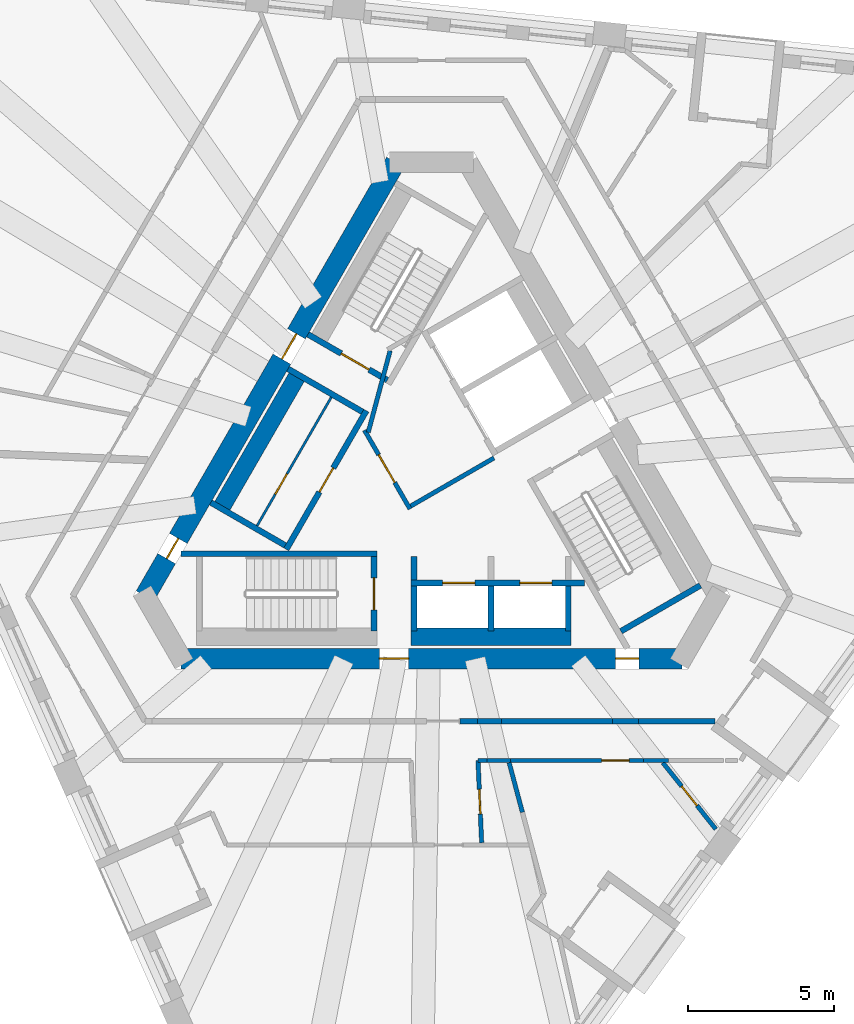
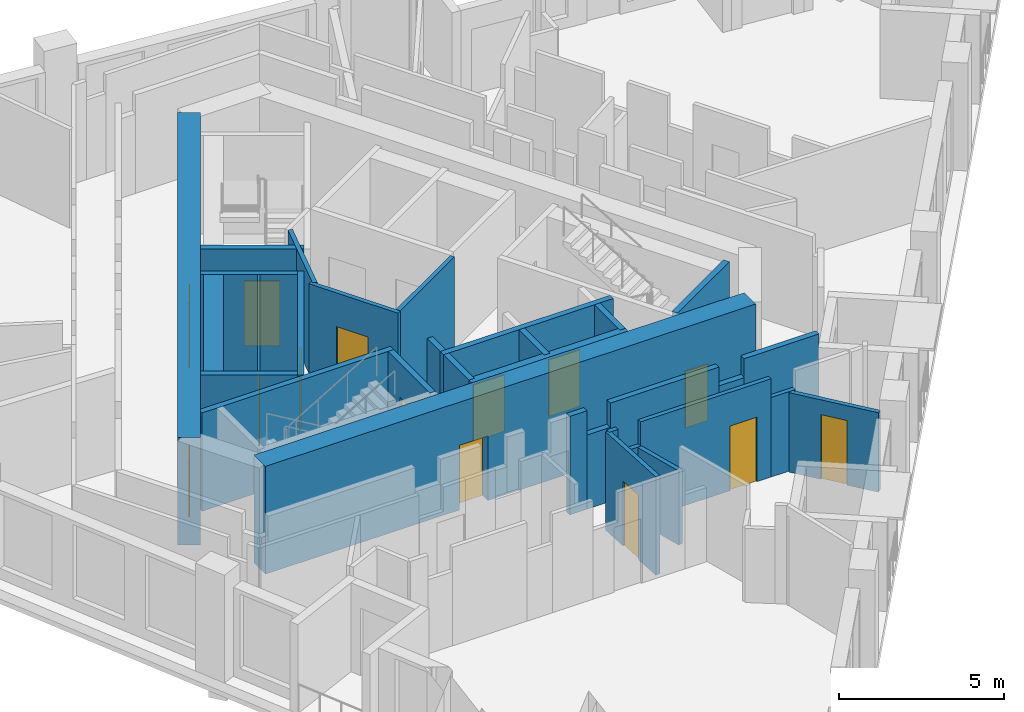
# One storey, part 4 of 11: 32 walls, 14 doors, 14 openings.
"""IFC4 building model written with IfcOpenShell, lengths in metres."""

import ifcopenshell
import ifcopenshell.guid

model = None  # the IFC model being written
_history = None  # IfcOwnerHistory: only IFC2X3 demands one
_inside = {}  # id of a spatial element -> (the spatial element, [elements in it])
_under = {}  # id of a project, library or spatial element -> (it, [spatial elements below it])
_declared = {}  # id of a project -> (the project, [libraries it declares])
_typed = {}  # id of a type object -> (the type object, [elements of that type])
_made_of = {}  # id of a material, layer set ... -> (it, [elements and type objects made of it])


def new_model(schema):
    """Start an empty IFC model of exactly this schema.

    Asked for "IFC4X3", IfcOpenShell would pick the latest addendum, in which some entities
    have other attributes; the version numbers below select the first issue.
    IFC2X3 requires an IfcOwnerHistory on every rooted entity: one is made here for all.
    """
    global model, _history
    if schema == "IFC4X3":
        model = ifcopenshell.file(schema_version=(4, 3, 0, 0))
    else:
        model = ifcopenshell.file(schema=schema)
    _inside.clear()
    _under.clear()
    _declared.clear()
    _typed.clear()
    _made_of.clear()
    _history = None
    if model.schema == "IFC2X3":
        org = make("IfcOrganization", Name="unknown")
        user = make(
            "IfcPersonAndOrganization",
            ThePerson=make("IfcPerson", FamilyName="unknown"),
            TheOrganization=org,
        )
        app = make(
            "IfcApplication",
            ApplicationDeveloper=org,
            Version="unknown",
            ApplicationFullName="unknown",
            ApplicationIdentifier="unknown",
        )
        _history = make(
            "IfcOwnerHistory",
            OwningUser=user,
            OwningApplication=app,
            ChangeAction="ADDED",
            CreationDate=0,
        )
    return model


def make(cls, **values):
    """One entity of the class cls with the attributes given. An attribute that is None is left unset."""
    return model.create_entity(
        cls, **{name: value for name, value in values.items() if value is not None}
    )


def rooted(cls, **values):
    """An entity with a GlobalId (a new one), such as an element, a storey or a relation."""
    return make(cls, GlobalId=ifcopenshell.guid.new(), OwnerHistory=_history, **values)


def si_unit(unit_type, name, prefix=None):
    """IfcSIUnit, for example si_unit("LENGTHUNIT", "METRE", prefix="MILLI")."""
    return make("IfcSIUnit", UnitType=unit_type, Prefix=prefix, Name=name)


def assignment(units):
    """IfcUnitAssignment: the units of a project."""
    return None if units is None else make("IfcUnitAssignment", Units=units)


def point(xyz):
    """IfcCartesianPoint."""
    return None if xyz is None else make("IfcCartesianPoint", Coordinates=xyz)


def direction(xyz):
    """IfcDirection."""
    return None if xyz is None else make("IfcDirection", DirectionRatios=xyz)


def frame(location, z_axis=None, x_axis=None):
    """IfcAxis2Placement3D, a coordinate frame: its origin and axes. An axis left out is left unset."""
    return make(
        "IfcAxis2Placement3D",
        Location=point(location),
        Axis=direction(z_axis),
        RefDirection=direction(x_axis),
    )


def frame_2d(location, x_axis=None):
    """IfcAxis2Placement2D, a coordinate frame in the plane: its origin and x axis."""
    return make(
        "IfcAxis2Placement2D", Location=point(location), RefDirection=direction(x_axis)
    )


def origin():
    """The frame at (0, 0, 0) with its axes left unset."""
    return frame((0.0, 0.0, 0.0))


def place(relative_to, where):
    """IfcLocalPlacement: puts the frame where relative to a parent placement (None: the world)."""
    return make(
        "IfcLocalPlacement", PlacementRelTo=relative_to, RelativePlacement=where
    )


def context(
    kind, dimensions, precision=None, world=None, true_north=None, identifier=None
):
    """IfcGeometricRepresentationContext, for example the 3D "Model" context."""
    return make(
        "IfcGeometricRepresentationContext",
        ContextIdentifier=identifier,
        ContextType=kind,
        CoordinateSpaceDimension=dimensions,
        Precision=precision,
        WorldCoordinateSystem=world,
        TrueNorth=true_north,
    )


def subcontext(parent, identifier, kind, view, scale=None):
    """IfcGeometricRepresentationSubContext, for example "Body" below "Model"."""
    return make(
        "IfcGeometricRepresentationSubContext",
        ContextIdentifier=identifier,
        ContextType=kind,
        ParentContext=parent,
        TargetScale=scale,
        TargetView=view,
    )


def project(units=None, contexts=None):
    """IfcProject with its units and contexts."""
    return rooted(
        "IfcProject",
        Name="project",
        RepresentationContexts=contexts,
        UnitsInContext=assignment(units),
    )


def spatial(cls, under=None, at=None, **own):
    """A site, building, storey or space (cls), placed at a placement, below another one or the project."""
    s = rooted(cls, ObjectPlacement=at, **own)
    if under is not None:
        _under.setdefault(under.id(), (under, []))[1].append(s)
    return s


def profile(cls, at=None, kind="AREA", **sizes):
    """A parametric profile (cls). Its sizes go by their IFC names, for example OverallWidth=200.0."""
    return make(cls, ProfileType=kind, Position=at, **sizes)


def rectangle(**sizes):
    """IfcRectangleProfileDef."""
    return profile("IfcRectangleProfileDef", **sizes)


def extrude(swept, where, along, depth):
    """IfcExtrudedAreaSolid: the profile swept, set in the frame where, extruded along a direction by depth."""
    return make(
        "IfcExtrudedAreaSolid",
        SweptArea=swept,
        Position=where,
        ExtrudedDirection=direction(along),
        Depth=depth,
    )


def shape(context_of_items, identifier, shape_type, items):
    """IfcShapeRepresentation: the items that make up one representation, for example the "Body"."""
    return make(
        "IfcShapeRepresentation",
        ContextOfItems=context_of_items,
        RepresentationIdentifier=identifier,
        RepresentationType=shape_type,
        Items=items,
    )


def material(Name=None, Category=None):
    """IfcMaterial."""
    return make("IfcMaterial", Name=Name, Category=Category)


def layer(
    of_material, thickness, ventilated=None, Name=None, Category=None, Priority=None
):
    """IfcMaterialLayer: one layer of a wall or slab, of a material (None: an air gap)."""
    return make(
        "IfcMaterialLayer",
        Material=of_material,
        LayerThickness=thickness,
        IsVentilated=ventilated,
        Name=Name,
        Category=Category,
        Priority=Priority,
    )


def layer_set(layers, Name=None):
    """IfcMaterialLayerSet."""
    return make("IfcMaterialLayerSet", MaterialLayers=layers, LayerSetName=Name)


def made_of(thing, what):
    """Note that an element or type object is made of a material, layer set ...; save() writes the relation."""
    if what is not None:
        _made_of.setdefault(what.id(), (what, []))[1].append(thing)
    return thing


def type_object(cls, material=None, **own):
    """A type object (cls), such as IfcWallType, which elements share."""
    return made_of(rooted(cls, **own), material)


def element(
    cls,
    number,
    at=None,
    inside=None,
    cuts=None,
    type_object=None,
    material=None,
    context=None,
    identifier="Body",
    shape_type=None,
    held_by="IfcProductDefinitionShape",
    body=None,
    shapes=None,
    **own,
):
    """One element of the class cls, such as IfcWall. Its Tag is "e" and its number.

    at: its placement. inside: the storey or other place that contains it. cuts: it is an
    opening in that element (IfcRelVoidsElement). A single representation is given by context,
    identifier, shape_type and body (its items); several are given by shapes. held_by: the class
    of the entity that holds the representations. save() writes the other relations.
    """
    e = rooted(cls, Tag="e%d" % number, ObjectPlacement=at, **own)
    if body is not None:
        shapes = [shape(context, identifier, shape_type, body)]
    if shapes is not None:
        e.Representation = make(held_by, Representations=shapes)
    if inside is not None:
        _inside.setdefault(inside.id(), (inside, []))[1].append(e)
    if cuts is not None:
        rooted(
            "IfcRelVoidsElement", RelatingBuildingElement=cuts, RelatedOpeningElement=e
        )
    if type_object is not None:
        _typed.setdefault(type_object.id(), (type_object, []))[1].append(e)
    return made_of(e, material)


def fill(opening, filler):
    """IfcRelFillsElement: the door or window that sits in an opening."""
    return rooted(
        "IfcRelFillsElement",
        RelatingOpeningElement=opening,
        RelatedBuildingElement=filler,
    )


def aggregate(whole, parts):
    """IfcRelAggregates: a whole, such as a stair, and the parts it consists of."""
    return rooted("IfcRelAggregates", RelatingObject=whole, RelatedObjects=parts)


def save(model, path):
    """Write the relations noted so far, then the file.

    IfcRelAggregates (storeys below a building ...), IfcRelContainedInSpatialStructure (elements
    in a storey), IfcRelDefinesByType, IfcRelAssociatesMaterial and IfcRelDeclares: one each for
    every whole, place, type object, material and project.
    """
    for whole, parts in _under.values():
        aggregate(whole, parts)
    for where, things in _inside.values():
        rooted(
            "IfcRelContainedInSpatialStructure",
            RelatedElements=things,
            RelatingStructure=where,
        )
    for kind, things in _typed.values():
        rooted("IfcRelDefinesByType", RelatedObjects=things, RelatingType=kind)
    for what, things in _made_of.values():
        rooted("IfcRelAssociatesMaterial", RelatedObjects=things, RelatingMaterial=what)
    for by, libraries in _declared.values():
        rooted("IfcRelDeclares", RelatingContext=by, RelatedDefinitions=libraries)
    model.write(path)


model = new_model("IFC4")

# Units and contexts
model_context = context("Model", 3, precision=1e-05, world=origin(), true_north=direction((0.0, 1.0)))
body_context = subcontext(model_context, "Body", "Model", "MODEL_VIEW")
ifc_project = project(units=[si_unit("LENGTHUNIT", "METRE"), si_unit("AREAUNIT", "SQUARE_METRE"), si_unit("VOLUMEUNIT", "CUBIC_METRE"), si_unit("PLANEANGLEUNIT", "RADIAN"), si_unit("MASSUNIT", "GRAM", prefix="KILO")], contexts=[model_context])

# Site, building, storey
site_placement = place(None, origin())
site = spatial("IfcSite", under=ifc_project, at=site_placement, CompositionType="ELEMENT")
building_placement = place(site_placement, origin())
building = spatial("IfcBuilding", under=site, at=building_placement, Name="Tramontana Tower", CompositionType="ELEMENT")
storey_placement = place(building_placement, frame((0.0, 0.0, 265.199951171875)))
storey = spatial("IfcBuildingStorey", under=building, at=storey_placement, Name="L62", CompositionType="ELEMENT", Elevation=265.199951171875)

# Wall, openings, doors
ifc_material_1 = material(Name="Concrete 70 MPa", Category="concrete")
ifc_layer_1 = layer(ifc_material_1, 0.699951171875)
ifc_layer_set_1 = layer_set([ifc_layer_1], Name="Core wall 700 70 MPa")
wall_type_1 = type_object("IfcWallType", Name="Core wall 700 70 MPa", PredefinedType="SHEAR", material=ifc_layer_set_1)
wall_1_placement = place(storey_placement, frame((-1.2412109375, 10.64990234375, 0.0), z_axis=(0.0, 0.0, 1.0), x_axis=(-0.500003331888, -0.866023480109, 0.0)))
wall_1 = element("IfcWall", 1, at=wall_1_placement, inside=storey, type_object=wall_type_1, Name="Core wall C1 L62", PredefinedType="SHEAR", context=body_context, shape_type="SweptSolid", body=[
    extrude(rectangle(XDim=17.205078125, YDim=0.699951171875, at=frame_2d((8.6025390625, 0.0))), origin(), (0.0, 0.0, 1.0), 4.0),
])
opening_1_placement = place(wall_1_placement, frame((6.8076171875, 0.0, 0.0)))
opening_1 = element("IfcOpeningElement", 2, at=opening_1_placement, cuts=wall_1, Name="Opening RG1", PredefinedType="OPENING", context=body_context, shape_type="SweptSolid", body=[
    extrude(rectangle(XDim=1.0, YDim=2.39990234375, at=frame_2d((0.5, 1.199951171875))), frame((0.0, 0.35986328125, 0.0), z_axis=(0.0, -1.0, 0.0), x_axis=(1.0, 0.0, 0.0)), (0.0, 0.0, 1.0), 0.719970703125),
])
opening_2_placement = place(wall_1_placement, frame((14.921630859375, 0.0, 0.0)))
opening_2 = element("IfcOpeningElement", 3, at=opening_2_placement, cuts=wall_1, Name="Opening PD1", PredefinedType="OPENING", context=body_context, shape_type="SweptSolid", body=[
    extrude(rectangle(XDim=0.800048828125, YDim=2.10009765625, at=frame_2d((0.39990234375, 1.050048828125))), frame((0.0, 0.35986328125, 0.0), z_axis=(0.0, -1.0, 0.0), x_axis=(1.0, 0.0, 0.0)), (0.0, 0.0, 1.0), 0.719970703125),
])
ifc_material_2 = material(Name="Painted steel", Category="steel")
door_type_1 = type_object("IfcDoorType", Name="CUPBOARD DOOR 800", OperationType="SINGLE_SWING_LEFT", PredefinedType="DOOR", material=ifc_material_2)
door_1_placement = place(opening_2_placement, origin())
door_1 = element("IfcDoor", 4, at=door_1_placement, inside=storey, type_object=door_type_1, Name="Door PD1", OperationType="SINGLE_SWING_LEFT", OverallHeight=2.10009765625, OverallWidth=0.800048828125, PredefinedType="DOOR", context=body_context, shape_type="SweptSolid", body=[
    extrude(rectangle(XDim=0.800048828125, YDim=2.10009765625, at=frame_2d((0.39990234375, 1.050048828125))), frame((0.0, 0.02490234375, 0.0), z_axis=(0.0, -1.0, 0.0), x_axis=(1.0, 0.0, 0.0)), (0.0, 0.0, 1.0), 0.050048828125),
])
fill(opening_2, door_1)
ifc_material_3 = material(Name="Painted steel", Category="steel")
door_type_2 = type_object("IfcDoorType", Name="RING DOOR 1000", OperationType="SINGLE_SWING_LEFT", PredefinedType="DOOR", material=ifc_material_3)
door_2_placement = place(opening_1_placement, origin())
door_2 = element("IfcDoor", 5, at=door_2_placement, inside=storey, type_object=door_type_2, Name="Door RG1", OperationType="SINGLE_SWING_RIGHT", OverallHeight=2.39990234375, OverallWidth=1.0, PredefinedType="DOOR", context=body_context, shape_type="SweptSolid", body=[
    extrude(rectangle(XDim=1.0, YDim=2.39990234375, at=frame_2d((0.5, 1.199951171875))), frame((0.0, 0.02490234375, 0.0), z_axis=(0.0, -1.0, 0.0), x_axis=(1.0, 0.0, 0.0)), (0.0, 0.0, 1.0), 0.050048828125),
])
fill(opening_1, door_2)

wall_2_placement = place(storey_placement, frame((-8.6025390625, -6.39990234375, 0.0), z_axis=(0.0, 0.0, 1.0), x_axis=(1.0, 0.0, 0.0)))
wall_2 = element("IfcWall", 6, at=wall_2_placement, inside=storey, type_object=wall_type_1, Name="Core wall C3 L62", PredefinedType="SHEAR", context=body_context, shape_type="SweptSolid", body=[
    extrude(rectangle(XDim=17.205078125, YDim=0.699951171875, at=frame_2d((8.6025390625, 0.0))), origin(), (0.0, 0.0, 1.0), 4.0),
])
opening_3_placement = place(wall_2_placement, frame((6.8076171875, 0.0, 0.0)))
opening_3 = element("IfcOpeningElement", 7, at=opening_3_placement, cuts=wall_2, Name="Opening RG2", PredefinedType="OPENING", context=body_context, shape_type="SweptSolid", body=[
    extrude(rectangle(XDim=1.0, YDim=2.39990234375, at=frame_2d((0.5, 1.199951171875))), frame((0.0, 0.35986328125, 0.0), z_axis=(0.0, -1.0, 0.0), x_axis=(1.0, 0.0, 0.0)), (0.0, 0.0, 1.0), 0.719970703125),
])
opening_4_placement = place(wall_2_placement, frame((14.921630859375, 0.0, 0.0)))
opening_4 = element("IfcOpeningElement", 8, at=opening_4_placement, cuts=wall_2, Name="Opening PD2", PredefinedType="OPENING", context=body_context, shape_type="SweptSolid", body=[
    extrude(rectangle(XDim=0.800048828125, YDim=2.10009765625, at=frame_2d((0.39990234375, 1.050048828125))), frame((0.0, 0.35986328125, 0.0), z_axis=(0.0, -1.0, 0.0), x_axis=(1.0, 0.0, 0.0)), (0.0, 0.0, 1.0), 0.719970703125),
])
door_3_placement = place(opening_4_placement, origin())
door_3 = element("IfcDoor", 9, at=door_3_placement, inside=storey, type_object=door_type_1, Name="Door PD2", OperationType="SINGLE_SWING_RIGHT", OverallHeight=2.10009765625, OverallWidth=0.800048828125, PredefinedType="DOOR", context=body_context, shape_type="SweptSolid", body=[
    extrude(rectangle(XDim=0.800048828125, YDim=2.10009765625, at=frame_2d((0.39990234375, 1.050048828125))), frame((0.0, 0.02490234375, 0.0), z_axis=(0.0, -1.0, 0.0), x_axis=(1.0, 0.0, 0.0)), (0.0, 0.0, 1.0), 0.050048828125),
])
fill(opening_4, door_3)
door_4_placement = place(opening_3_placement, origin())
door_4 = element("IfcDoor", 10, at=door_4_placement, inside=storey, type_object=door_type_2, Name="Door RG2", OperationType="SINGLE_SWING_LEFT", OverallHeight=2.39990234375, OverallWidth=1.0, PredefinedType="DOOR", context=body_context, shape_type="SweptSolid", body=[
    extrude(rectangle(XDim=1.0, YDim=2.39990234375, at=frame_2d((0.5, 1.199951171875))), frame((0.0, 0.02490234375, 0.0), z_axis=(0.0, -1.0, 0.0), x_axis=(1.0, 0.0, 0.0)), (0.0, 0.0, 1.0), 0.050048828125),
])
fill(opening_3, door_4)

# Walls
ifc_material_4 = material(Name="Blockwork", Category="masonry")
ifc_layer_2 = layer(ifc_material_4, 0.199951171875)
ifc_layer_set_2 = layer_set([ifc_layer_2], Name="ENTRY WALL 200")
wall_type_2 = type_object("IfcWallType", Name="ENTRY WALL 200", PredefinedType="SOLIDWALL", material=ifc_layer_set_2)
wall_3_placement = place(storey_placement, frame((9.724609375, -8.550048828125, 0.0), z_axis=(0.0, 0.0, 1.0), x_axis=(-1.0, 0.0, 0.0)))
element("IfcWall", 11, at=wall_3_placement, inside=storey, type_object=wall_type_2, Name="Wall v62-ew1-0", PredefinedType="SOLIDWALL", context=body_context, shape_type="SweptSolid", body=[
    extrude(rectangle(XDim=2.62548828125, YDim=0.199951171875, at=frame_2d((1.312744140625, 0.0))), origin(), (0.0, 0.0, 1.0), 3.650146484375),
])
wall_4_placement = place(storey_placement, frame((7.09912109375, -8.550048828125, 0.0), z_axis=(0.0, 0.0, 1.0), x_axis=(-1.0, 0.0, 0.0)))
element("IfcWall", 12, at=wall_4_placement, inside=storey, type_object=wall_type_2, Name="Wall v62-ew1-1", PredefinedType="SOLIDWALL", context=body_context, shape_type="SweptSolid", body=[
    extrude(rectangle(XDim=0.88720703125, YDim=0.199951171875, at=frame_2d((0.443603515625, 0.0))), origin(), (0.0, 0.0, 1.0), 2.949951171875),
])
wall_5_placement = place(storey_placement, frame((6.2119140625, -8.550048828125, 0.0), z_axis=(0.0, 0.0, 1.0), x_axis=(-1.0, 0.0, 0.0)))
element("IfcWall", 13, at=wall_5_placement, inside=storey, type_object=wall_type_2, Name="Wall v62-ew1-2", PredefinedType="SOLIDWALL", context=body_context, shape_type="SweptSolid", body=[
    extrude(rectangle(XDim=3.810546875, YDim=0.199951171875, at=frame_2d((1.9052734375, 0.0))), origin(), (0.0, 0.0, 1.0), 3.650146484375),
])
wall_6_placement = place(storey_placement, frame((2.4013671875, -8.550048828125, 0.0), z_axis=(0.0, 0.0, 1.0), x_axis=(-1.0, 0.0, 0.0)))
element("IfcWall", 14, at=wall_6_placement, inside=storey, type_object=wall_type_2, Name="Wall v62-ew1-3", PredefinedType="SOLIDWALL", context=body_context, shape_type="SweptSolid", body=[
    extrude(rectangle(XDim=0.8212890625, YDim=0.199951171875, at=frame_2d((0.41064453125, 0.0))), origin(), (0.0, 0.0, 1.0), 2.75),
])
wall_7_placement = place(storey_placement, frame((1.580078125, -8.550048828125, 0.0), z_axis=(0.0, 0.0, 1.0), x_axis=(-1.0, 0.0, 0.0)))
element("IfcWall", 15, at=wall_7_placement, inside=storey, type_object=wall_type_2, Name="Wall v62-ew1-4", PredefinedType="SOLIDWALL", context=body_context, shape_type="SweptSolid", body=[
    extrude(rectangle(XDim=0.599609375, YDim=0.199951171875, at=frame_2d((0.2998046875, 0.0))), origin(), (0.0, 0.0, 1.0), 3.650146484375),
])

# Wall, opening, door
ifc_material_5 = material(Name="Gypsum board partition")
ifc_layer_3 = layer(ifc_material_5, 0.14990234375)
ifc_layer_set_3 = layer_set([ifc_layer_3], Name="PARTITION 150")
wall_type_3 = type_object("IfcWallType", Name="PARTITION 150", PredefinedType="PARTITIONING", material=ifc_layer_set_3)
wall_8_placement = place(storey_placement, frame((-0.744140625, -1.260986328125, 0.0), z_axis=(0.0, 0.0, 1.0), x_axis=(-0.500004234368, 0.866022959057, 0.0)))
wall_8 = element("IfcWall", 16, at=wall_8_placement, inside=storey, type_object=wall_type_3, Name="Wall ff-front", PredefinedType="PARTITIONING", context=body_context, shape_type="SweptSolid", body=[
    extrude(rectangle(XDim=3.125, YDim=0.14990234375, at=frame_2d((1.5625, 0.0))), origin(), (0.0, 0.0, 1.0), 3.650146484375),
])
opening_5_placement = place(wall_8_placement, frame((1.050048828125, 0.0, 0.0)))
opening_5 = element("IfcOpeningElement", 17, at=opening_5_placement, cuts=wall_8, Name="Opening FD1", PredefinedType="OPENING", context=body_context, shape_type="SweptSolid", body=[
    extrude(rectangle(XDim=1.10009765625, YDim=2.39990234375, at=frame_2d((0.550048828125, 1.199951171875))), frame((0.0, 0.0849609375, 0.0), z_axis=(0.0, -1.0, 0.0), x_axis=(1.0, 0.0, 0.0)), (0.0, 0.0, 1.0), 0.169921875),
])
ifc_material_6 = material(Name="Painted timber", Category="wood")
door_type_3 = type_object("IfcDoorType", Name="DOOR ENTRY 1100", OperationType="SINGLE_SWING_LEFT", PredefinedType="DOOR", material=ifc_material_6)
door_5_placement = place(opening_5_placement, origin())
door_5 = element("IfcDoor", 18, at=door_5_placement, inside=storey, type_object=door_type_3, Name="Door FD1", OperationType="SINGLE_SWING_LEFT", OverallHeight=2.39990234375, OverallWidth=1.10009765625, PredefinedType="DOOR", context=body_context, shape_type="SweptSolid", body=[
    extrude(rectangle(XDim=1.10009765625, YDim=2.39990234375, at=frame_2d((0.550048828125, 1.199951171875))), frame((0.0, 0.02490234375, 0.0), z_axis=(0.0, -1.0, 0.0), x_axis=(1.0, 0.0, 0.0)), (0.0, 0.0, 1.0), 0.050048828125),
])
fill(opening_5, door_5)

# Walls
wall_9_placement = place(storey_placement, frame((-0.716796875, -1.15869140625, 0.0), z_axis=(0.0, 0.0, 1.0), x_axis=(0.866008176907, 0.50002983664, 0.0)))
element("IfcWall", 19, at=wall_9_placement, inside=storey, type_object=wall_type_3, Name="Wall ff-end0", PredefinedType="PARTITIONING", context=body_context, shape_type="SweptSolid", body=[
    extrude(rectangle(XDim=3.300048828125, YDim=0.14990234375, at=frame_2d((1.64990234375, 0.0))), origin(), (0.0, 0.0, 1.0), 3.650146484375),
])
wall_10_placement = place(storey_placement, frame((-2.177978515625, 1.372314453125, 0.0), z_axis=(0.0, 0.0, 1.0), x_axis=(0.258808958833, 0.96592852884, 0.0)))
element("IfcWall", 20, at=wall_10_placement, inside=storey, type_object=wall_type_3, Name="Wall ff-diag", PredefinedType="PARTITIONING", context=body_context, shape_type="SweptSolid", body=[
    extrude(rectangle(XDim=2.902587890625, YDim=0.14990234375, at=frame_2d((1.451171875, 0.0))), origin(), (0.0, 0.0, 1.0), 3.650146484375),
])

# Wall, opening, door
wall_11_placement = place(storey_placement, frame((1.591796875, -9.89990234375, 0.0), z_axis=(0.0, 0.0, 1.0), x_axis=(0.044459968101, -0.999011166723, 0.0)))
wall_11 = element("IfcWall", 21, at=wall_11_placement, inside=storey, type_object=wall_type_3, Name="Wall v62-pw13", PredefinedType="PARTITIONING", context=body_context, shape_type="SweptSolid", body=[
    extrude(rectangle(XDim=2.827880859375, YDim=0.14990234375, at=frame_2d((1.4140625, 0.0))), origin(), (0.0, 0.0, 1.0), 3.650146484375),
])
opening_6_placement = place(wall_11_placement, frame((0.989013671875, 0.0, 0.0)))
opening_6 = element("IfcOpeningElement", 22, at=opening_6_placement, cuts=wall_11, Name="Opening B6C-06", PredefinedType="OPENING", context=body_context, shape_type="SweptSolid", body=[
    extrude(rectangle(XDim=0.85009765625, YDim=2.39990234375, at=frame_2d((0.425048828125, 1.199951171875))), frame((0.0, 0.0849609375, 0.0), z_axis=(0.0, -1.0, 0.0), x_axis=(1.0, 0.0, 0.0)), (0.0, 0.0, 1.0), 0.169921875),
])
ifc_material_7 = material(Name="Painted timber", Category="wood")
door_type_4 = type_object("IfcDoorType", Name="DOOR BATH 850", OperationType="SINGLE_SWING_LEFT", PredefinedType="DOOR", material=ifc_material_7)
door_6_placement = place(opening_6_placement, origin())
door_6 = element("IfcDoor", 23, at=door_6_placement, inside=storey, type_object=door_type_4, Name="Door B6C-06", OperationType="SINGLE_SWING_RIGHT", OverallHeight=2.39990234375, OverallWidth=0.85009765625, PredefinedType="DOOR", context=body_context, shape_type="SweptSolid", body=[
    extrude(rectangle(XDim=0.85009765625, YDim=2.39990234375, at=frame_2d((0.425048828125, 1.199951171875))), frame((0.0, 0.02490234375, 0.0), z_axis=(0.0, -1.0, 0.0), x_axis=(1.0, 0.0, 0.0)), (0.0, 0.0, 1.0), 0.050048828125),
])
fill(opening_6, door_6)

# Wall
wall_12_placement = place(storey_placement, frame((2.662353515625, -9.97509765625, 0.0), z_axis=(0.0, 0.0, 1.0), x_axis=(0.25785226736, -0.966184355192, 0.0)))
element("IfcWall", 24, at=wall_12_placement, inside=storey, type_object=wall_type_3, Name="Wall v62-pw14-0", PredefinedType="PARTITIONING", context=body_context, shape_type="SweptSolid", body=[
    extrude(rectangle(XDim=1.762939453125, YDim=0.14990234375, at=frame_2d((0.88134765625, 0.0))), origin(), (0.0, 0.0, 1.0), 2.75),
])

# Wall, opening, door
wall_13_placement = place(storey_placement, frame((7.942626953125, -9.97509765625, 0.0), z_axis=(0.0, 0.0, 1.0), x_axis=(0.622917295976, -0.782287697956, 0.0)))
wall_13 = element("IfcWall", 25, at=wall_13_placement, inside=storey, type_object=wall_type_3, Name="Wall v62-pw28-0", PredefinedType="PARTITIONING", context=body_context, shape_type="SweptSolid", body=[
    extrude(rectangle(XDim=2.916748046875, YDim=0.14990234375, at=frame_2d((1.45849609375, 0.0))), origin(), (0.0, 0.0, 1.0), 2.949951171875),
])
opening_7_placement = place(wall_13_placement, frame((1.033447265625, 0.0, 0.0)))
opening_7 = element("IfcOpeningElement", 26, at=opening_7_placement, cuts=wall_13, Name="Opening B6C-10", PredefinedType="OPENING", context=body_context, shape_type="SweptSolid", body=[
    extrude(rectangle(XDim=0.85009765625, YDim=2.39990234375, at=frame_2d((0.425048828125, 1.199951171875))), frame((0.0, 0.0849609375, 0.0), z_axis=(0.0, -1.0, 0.0), x_axis=(1.0, 0.0, 0.0)), (0.0, 0.0, 1.0), 0.169921875),
])
door_7_placement = place(opening_7_placement, origin())
door_7 = element("IfcDoor", 27, at=door_7_placement, inside=storey, type_object=door_type_4, Name="Door B6C-10", OperationType="SINGLE_SWING_RIGHT", OverallHeight=2.39990234375, OverallWidth=0.85009765625, PredefinedType="DOOR", context=body_context, shape_type="SweptSolid", body=[
    extrude(rectangle(XDim=0.85009765625, YDim=2.39990234375, at=frame_2d((0.425048828125, 1.199951171875))), frame((0.0, 0.02490234375, 0.0), z_axis=(0.0, -1.0, 0.0), x_axis=(1.0, 0.0, 0.0)), (0.0, 0.0, 1.0), 0.050048828125),
])
fill(opening_7, door_7)

# Wall
wall_14_placement = place(storey_placement, frame((8.134033203125, -9.89990234375, 0.0), z_axis=(0.0, 0.0, 1.0), x_axis=(-1.0, 0.0, 0.0)))
element("IfcWall", 28, at=wall_14_placement, inside=storey, type_object=wall_type_3, Name="Wall v62-pw29-1", PredefinedType="PARTITIONING", context=body_context, shape_type="SweptSolid", body=[
    extrude(rectangle(XDim=0.85546875, YDim=0.14990234375, at=frame_2d((0.427734375, 0.0))), origin(), (0.0, 0.0, 1.0), 2.949951171875),
])

# Wall, opening, door
wall_15_placement = place(storey_placement, frame((7.278564453125, -9.89990234375, 0.0), z_axis=(0.0, 0.0, 1.0), x_axis=(-1.0, 0.0, 0.0)))
wall_15 = element("IfcWall", 29, at=wall_15_placement, inside=storey, type_object=wall_type_3, Name="Wall v62-pw29-2", PredefinedType="PARTITIONING", context=body_context, shape_type="SweptSolid", body=[
    extrude(rectangle(XDim=4.57568359375, YDim=0.14990234375, at=frame_2d((2.287841796875, 0.0))), origin(), (0.0, 0.0, 1.0), 3.650146484375),
])
opening_8_placement = place(wall_15_placement, frame((0.492919921875, 0.0, 0.0)))
opening_8 = element("IfcOpeningElement", 30, at=opening_8_placement, cuts=wall_15, Name="Opening B6C-09", PredefinedType="OPENING", context=body_context, shape_type="SweptSolid", body=[
    extrude(rectangle(XDim=0.949951171875, YDim=2.39990234375, at=frame_2d((0.47509765625, 1.199951171875))), frame((0.0, 0.0849609375, 0.0), z_axis=(0.0, -1.0, 0.0), x_axis=(1.0, 0.0, 0.0)), (0.0, 0.0, 1.0), 0.169921875),
])
ifc_material_8 = material(Name="Painted timber", Category="wood")
door_type_5 = type_object("IfcDoorType", Name="DOOR ROOM 950", OperationType="SINGLE_SWING_LEFT", PredefinedType="DOOR", material=ifc_material_8)
door_8_placement = place(opening_8_placement, origin())
door_8 = element("IfcDoor", 31, at=door_8_placement, inside=storey, type_object=door_type_5, Name="Door B6C-09", OperationType="SINGLE_SWING_LEFT", OverallHeight=2.39990234375, OverallWidth=0.949951171875, PredefinedType="DOOR", context=body_context, shape_type="SweptSolid", body=[
    extrude(rectangle(XDim=0.949951171875, YDim=2.39990234375, at=frame_2d((0.47509765625, 1.199951171875))), frame((0.0, 0.02490234375, 0.0), z_axis=(0.0, -1.0, 0.0), x_axis=(1.0, 0.0, 0.0)), (0.0, 0.0, 1.0), 0.050048828125),
])
fill(opening_8, door_8)

# Walls
wall_16_placement = place(storey_placement, frame((2.702880859375, -9.89990234375, 0.0), z_axis=(0.0, 0.0, 1.0), x_axis=(-1.0, 0.0, 0.0)))
element("IfcWall", 32, at=wall_16_placement, inside=storey, type_object=wall_type_3, Name="Wall v62-pw29-3", PredefinedType="PARTITIONING", context=body_context, shape_type="SweptSolid", body=[
    extrude(rectangle(XDim=0.795654296875, YDim=0.14990234375, at=frame_2d((0.39794921875, 0.0))), origin(), (0.0, 0.0, 1.0), 2.75),
])
wall_17_placement = place(storey_placement, frame((1.9072265625, -9.89990234375, 0.0), z_axis=(0.0, 0.0, 1.0), x_axis=(-1.0, 0.0, 0.0)))
element("IfcWall", 33, at=wall_17_placement, inside=storey, type_object=wall_type_3, Name="Wall v62-pw29-4", PredefinedType="PARTITIONING", context=body_context, shape_type="SweptSolid", body=[
    extrude(rectangle(XDim=0.3154296875, YDim=0.14990234375, at=frame_2d((0.15771484375, 0.0))), origin(), (0.0, 0.0, 1.0), 3.650146484375),
])

# Wall, opening, door
ifc_material_9 = material(Name="Gypsum board partition")
ifc_layer_4 = layer(ifc_material_9, 0.080078125)
ifc_layer_set_4 = layer_set([ifc_layer_4], Name="PARTITION 80")
wall_type_4 = type_object("IfcWallType", Name="PARTITION 80", PredefinedType="PARTITIONING", material=ifc_layer_set_4)
wall_18_placement = place(storey_placement, frame((-5.997314453125, -1.837646484375, 0.0), z_axis=(0.0, 0.0, 1.0), x_axis=(0.500005610874, 0.86602216432, 0.0)))
wall_18 = element("IfcWall", 34, at=wall_18_placement, inside=storey, type_object=wall_type_4, Name="Wall row0-split", PredefinedType="PARTITIONING", context=body_context, shape_type="SweptSolid", body=[
    extrude(rectangle(XDim=5.10009765625, YDim=0.080078125, at=frame_2d((2.550048828125, 0.0))), origin(), (0.0, 0.0, 1.0), 3.650146484375),
])
opening_9_placement = place(wall_18_placement, frame((1.25, 0.0, 0.0)))
opening_9 = element("IfcOpeningElement", 35, at=opening_9_placement, cuts=wall_18, Name="Opening RD-0B", PredefinedType="OPENING", context=body_context, shape_type="SweptSolid", body=[
    extrude(rectangle(XDim=0.800048828125, YDim=2.10009765625, at=frame_2d((0.39990234375, 1.050048828125))), frame((0.0, 0.050048828125, 0.0), z_axis=(0.0, -1.0, 0.0), x_axis=(1.0, 0.0, 0.0)), (0.0, 0.0, 1.0), 0.10009765625),
])
door_9_placement = place(opening_9_placement, origin())
door_9 = element("IfcDoor", 36, at=door_9_placement, inside=storey, type_object=door_type_1, Name="Door RD-0B", OperationType="SINGLE_SWING_RIGHT", OverallHeight=2.10009765625, OverallWidth=0.800048828125, PredefinedType="DOOR", context=body_context, shape_type="SweptSolid", body=[
    extrude(rectangle(XDim=0.800048828125, YDim=2.10009765625, at=frame_2d((0.39990234375, 1.050048828125))), frame((0.0, 0.02490234375, 0.0), z_axis=(0.0, -1.0, 0.0), x_axis=(1.0, 0.0, 0.0)), (0.0, 0.0, 1.0), 0.050048828125),
])
fill(opening_9, door_9)

# Walls
ifc_material_10 = material(Name="Concrete 70 MPa", Category="concrete")
ifc_layer_5 = layer(ifc_material_10, 0.60009765625)
ifc_layer_set_5 = layer_set([ifc_layer_5], Name="Concrete 70 MPa, 600 mm")
wall_type_5 = type_object("IfcWallType", Name="RC SHAFT BACK WALL 600", PredefinedType="SOLIDWALL", material=ifc_layer_set_5)
for number, where, z_axis, x_axis, name in (
    (37, (-4.5380859375, 3.43994140625, 0.0), (0.0, 0.0, 1.0), (-0.499996545922, -0.866027397988, 0.0), "Wall row0-back"),
    (38, (-0.7099609375, -5.64990234375, 0.0), (0.0, 0.0, 1.0), (1.0, 0.0, 0.0), "Wall row1-back"),
):
    element("IfcWall", number, at=place(storey_placement, frame(where, z_axis=z_axis, x_axis=x_axis)), inside=storey, type_object=wall_type_5, Name=name, PredefinedType="SOLIDWALL", context=body_context, shape_type="SweptSolid", body=[
        extrude(rectangle(XDim=5.5, YDim=0.60009765625, at=frame_2d((2.75, 0.0))), origin(), (0.0, 0.0, 1.0), 3.650146484375),
    ])

# Wall, opening, door
ifc_material_11 = material(Name="Concrete 70 MPa", Category="concrete")
ifc_layer_6 = layer(ifc_material_11, 0.199951171875)
ifc_layer_set_6 = layer_set([ifc_layer_6], Name="Concrete 70 MPa, 200 mm")
wall_type_6 = type_object("IfcWallType", Name="RC STAIR AND SHAFT WALL 200", PredefinedType="SOLIDWALL", material=ifc_layer_set_6)
wall_19_placement = place(storey_placement, frame((-1.521484375, 3.164794921875, 0.0), z_axis=(0.0, 0.0, 1.0), x_axis=(-0.866035871367, 0.499981869177, 0.0)))
wall_19 = element("IfcWall", 39, at=wall_19_placement, inside=storey, type_object=wall_type_6, Name="Wall st1-near", PredefinedType="SOLIDWALL", context=body_context, shape_type="SweptSolid", body=[
    extrude(rectangle(XDim=3.14990234375, YDim=0.199951171875, at=frame_2d((1.574951171875, 0.0))), origin(), (0.0, 0.0, 1.0), 3.650146484375),
])
opening_10_placement = place(wall_19_placement, frame((0.72509765625, 0.0, 0.0)))
opening_10 = element("IfcOpeningElement", 40, at=opening_10_placement, cuts=wall_19, Name="Opening SD1", PredefinedType="OPENING", context=body_context, shape_type="SweptSolid", body=[
    extrude(rectangle(XDim=1.10009765625, YDim=2.39990234375, at=frame_2d((0.550048828125, 1.199951171875))), frame((0.0, 0.10986328125, 0.0), z_axis=(0.0, -1.0, 0.0), x_axis=(1.0, 0.0, 0.0)), (0.0, 0.0, 1.0), 0.219970703125),
])
ifc_material_12 = material(Name="Painted steel", Category="steel")
door_type_6 = type_object("IfcDoorType", Name="STAIR DOOR 1100", OperationType="SINGLE_SWING_LEFT", PredefinedType="DOOR", material=ifc_material_12)
door_10_placement = place(opening_10_placement, origin())
door_10 = element("IfcDoor", 41, at=door_10_placement, inside=storey, type_object=door_type_6, Name="Door SD1", OperationType="SINGLE_SWING_RIGHT", OverallHeight=2.39990234375, OverallWidth=1.10009765625, PredefinedType="DOOR", context=body_context, shape_type="SweptSolid", body=[
    extrude(rectangle(XDim=1.10009765625, YDim=2.39990234375, at=frame_2d((0.550048828125, 1.199951171875))), frame((0.0, 0.02490234375, 0.0), z_axis=(0.0, -1.0, 0.0), x_axis=(1.0, 0.0, 0.0)), (0.0, 0.0, 1.0), 0.050048828125),
])
fill(opening_10, door_10)

# Wall
wall_20_placement = place(storey_placement, frame((-8.6025390625, -2.800048828125, 0.0), z_axis=(0.0, 0.0, 1.0), x_axis=(1.0, 0.0, 0.0)))
element("IfcWall", 42, at=wall_20_placement, inside=storey, type_object=wall_type_6, Name="Wall st2-front", PredefinedType="SOLIDWALL", context=body_context, shape_type="SweptSolid", body=[
    extrude(rectangle(XDim=6.72265625, YDim=0.199951171875, at=frame_2d((3.361328125, 0.0))), origin(), (0.0, 0.0, 1.0), 3.650146484375),
])

# Wall, opening, door
wall_21_placement = place(storey_placement, frame((-1.97998046875, -2.89990234375, 0.0), z_axis=(0.0, 0.0, 1.0), x_axis=(0.0, -1.0, 0.0)))
wall_21 = element("IfcWall", 43, at=wall_21_placement, inside=storey, type_object=wall_type_6, Name="Wall st2-near", PredefinedType="SOLIDWALL", context=body_context, shape_type="SweptSolid", body=[
    extrude(rectangle(XDim=2.550048828125, YDim=0.199951171875, at=frame_2d((1.27490234375, 0.0))), origin(), (0.0, 0.0, 1.0), 3.650146484375),
])
opening_11_placement = place(wall_21_placement, frame((0.72509765625, 0.0, 0.0)))
opening_11 = element("IfcOpeningElement", 44, at=opening_11_placement, cuts=wall_21, Name="Opening SD2", PredefinedType="OPENING", context=body_context, shape_type="SweptSolid", body=[
    extrude(rectangle(XDim=1.10009765625, YDim=2.39990234375, at=frame_2d((0.550048828125, 1.199951171875))), frame((0.0, 0.10986328125, 0.0), z_axis=(0.0, -1.0, 0.0), x_axis=(1.0, 0.0, 0.0)), (0.0, 0.0, 1.0), 0.219970703125),
])
door_11_placement = place(opening_11_placement, origin())
door_11 = element("IfcDoor", 45, at=door_11_placement, inside=storey, type_object=door_type_6, Name="Door SD2", OperationType="SINGLE_SWING_LEFT", OverallHeight=2.39990234375, OverallWidth=1.10009765625, PredefinedType="DOOR", context=body_context, shape_type="SweptSolid", body=[
    extrude(rectangle(XDim=1.10009765625, YDim=2.39990234375, at=frame_2d((0.550048828125, 1.199951171875))), frame((0.0, 0.02490234375, 0.0), z_axis=(0.0, -1.0, 0.0), x_axis=(1.0, 0.0, 0.0)), (0.0, 0.0, 1.0), 0.050048828125),
])
fill(opening_11, door_11)

# Wall
wall_22_placement = place(storey_placement, frame((6.50146484375, -5.4609375, 0.0), z_axis=(0.0, 0.0, 1.0), x_axis=(0.866035871367, 0.499981869177, 0.0)))
element("IfcWall", 46, at=wall_22_placement, inside=storey, type_object=wall_type_6, Name="Wall st3-far", PredefinedType="SOLIDWALL", context=body_context, shape_type="SweptSolid", body=[
    extrude(rectangle(XDim=3.14990234375, YDim=0.199951171875, at=frame_2d((1.574951171875, 0.0))), origin(), (0.0, 0.0, 1.0), 3.650146484375),
])

# Wall, opening, door
wall_23_placement = place(storey_placement, frame((-4.9931640625, -2.648193359375, 0.0), z_axis=(0.0, 0.0, 1.0), x_axis=(0.499996545922, 0.866027397988, 0.0)))
wall_23 = element("IfcWall", 47, at=wall_23_placement, inside=storey, type_object=wall_type_6, Name="Wall row0-front", PredefinedType="SOLIDWALL", context=body_context, shape_type="SweptSolid", body=[
    extrude(rectangle(XDim=5.5, YDim=0.199951171875, at=frame_2d((2.75, 0.0))), origin(), (0.0, 0.0, 1.0), 3.650146484375),
])
opening_12_placement = place(wall_23_placement, frame((2.27490234375, 0.0, 0.0)))
opening_12 = element("IfcOpeningElement", 48, at=opening_12_placement, cuts=wall_23, Name="Opening RD-0A", PredefinedType="OPENING", context=body_context, shape_type="SweptSolid", body=[
    extrude(rectangle(XDim=0.949951171875, YDim=2.39990234375, at=frame_2d((0.47509765625, 1.199951171875))), frame((0.0, 0.10986328125, 0.0), z_axis=(0.0, -1.0, 0.0), x_axis=(1.0, 0.0, 0.0)), (0.0, 0.0, 1.0), 0.219970703125),
])
door_12_placement = place(opening_12_placement, origin())
door_12 = element("IfcDoor", 49, at=door_12_placement, inside=storey, type_object=door_type_5, Name="Door RD-0A", OperationType="SINGLE_SWING_LEFT", OverallHeight=2.39990234375, OverallWidth=0.949951171875, PredefinedType="DOOR", context=body_context, shape_type="SweptSolid", body=[
    extrude(rectangle(XDim=0.949951171875, YDim=2.39990234375, at=frame_2d((0.47509765625, 1.199951171875))), frame((0.0, 0.02490234375, 0.0), z_axis=(0.0, -1.0, 0.0), x_axis=(1.0, 0.0, 0.0)), (0.0, 0.0, 1.0), 0.050048828125),
])
fill(opening_12, door_12)

# Walls
for number, where, z_axis, x_axis, name in (
    (50, (-2.379638671875, 2.078369140625, 0.0), (0.0, 0.0, 1.0), (-0.866060182126, 0.499939757307, 0.0), "Wall row0-side0"),
    (51, (-5.02978515625, -2.51171875, 0.0), (0.0, 0.0, 1.0), (-0.866003658127, 0.500037662692, 0.0), "Wall row0-side2"),
):
    element("IfcWall", number, at=place(storey_placement, frame(where, z_axis=z_axis, x_axis=x_axis)), inside=storey, type_object=wall_type_6, Name=name, PredefinedType="SOLIDWALL", context=body_context, shape_type="SweptSolid", body=[
        extrude(rectangle(XDim=2.949951171875, YDim=0.199951171875, at=frame_2d((1.47509765625, 0.0))), origin(), (0.0, 0.0, 1.0), 3.650146484375),
    ])

# Wall, openings, doors
wall_24_placement = place(storey_placement, frame((-0.7099609375, -3.800048828125, 0.0), z_axis=(0.0, 0.0, 1.0), x_axis=(1.0, 0.0, 0.0)))
wall_24 = element("IfcWall", 52, at=wall_24_placement, inside=storey, type_object=wall_type_6, Name="Wall row1-front", PredefinedType="SOLIDWALL", context=body_context, shape_type="SweptSolid", body=[
    extrude(rectangle(XDim=5.96142578125, YDim=0.199951171875, at=frame_2d((2.980712890625, 0.0))), origin(), (0.0, 0.0, 1.0), 3.650146484375),
])
opening_13_placement = place(wall_24_placement, frame((1.090087890625, 0.0, 0.0)))
opening_13 = element("IfcOpeningElement", 53, at=opening_13_placement, cuts=wall_24, Name="Opening LD-S1", PredefinedType="OPENING", context=body_context, shape_type="SweptSolid", body=[
    extrude(rectangle(XDim=1.10009765625, YDim=2.10009765625, at=frame_2d((0.550048828125, 1.050048828125))), frame((0.0, 0.10986328125, 0.0), z_axis=(0.0, -1.0, 0.0), x_axis=(1.0, 0.0, 0.0)), (0.0, 0.0, 1.0), 0.219970703125),
])
opening_14_placement = place(wall_24_placement, frame((3.739990234375, 0.0, 0.0)))
opening_14 = element("IfcOpeningElement", 54, at=opening_14_placement, cuts=wall_24, Name="Opening LD-S2", PredefinedType="OPENING", context=body_context, shape_type="SweptSolid", body=[
    extrude(rectangle(XDim=1.10009765625, YDim=2.10009765625, at=frame_2d((0.550048828125, 1.050048828125))), frame((0.0, 0.10986328125, 0.0), z_axis=(0.0, -1.0, 0.0), x_axis=(1.0, 0.0, 0.0)), (0.0, 0.0, 1.0), 0.219970703125),
])
ifc_material_13 = material(Name="Brushed steel", Category="steel")
door_type_7 = type_object("IfcDoorType", Name="LANDING DOOR 1100", OperationType="SINGLE_SWING_LEFT", PredefinedType="DOOR", material=ifc_material_13)
door_13_placement = place(opening_13_placement, origin())
door_13 = element("IfcDoor", 55, at=door_13_placement, inside=storey, type_object=door_type_7, Name="Door LD-S1", OperationType="SLIDING_TO_LEFT", OverallHeight=2.10009765625, OverallWidth=1.10009765625, PredefinedType="DOOR", context=body_context, shape_type="SweptSolid", body=[
    extrude(rectangle(XDim=1.10009765625, YDim=2.10009765625, at=frame_2d((0.550048828125, 1.050048828125))), frame((0.0, 0.02490234375, 0.0), z_axis=(0.0, -1.0, 0.0), x_axis=(1.0, 0.0, 0.0)), (0.0, 0.0, 1.0), 0.050048828125),
])
fill(opening_13, door_13)
door_14_placement = place(opening_14_placement, origin())
door_14 = element("IfcDoor", 56, at=door_14_placement, inside=storey, type_object=door_type_7, Name="Door LD-S2", OperationType="SLIDING_TO_RIGHT", OverallHeight=2.10009765625, OverallWidth=1.10009765625, PredefinedType="DOOR", context=body_context, shape_type="SweptSolid", body=[
    extrude(rectangle(XDim=1.10009765625, YDim=2.10009765625, at=frame_2d((0.550048828125, 1.050048828125))), frame((0.0, 0.02490234375, 0.0), z_axis=(0.0, -1.0, 0.0), x_axis=(1.0, 0.0, 0.0)), (0.0, 0.0, 1.0), 0.050048828125),
])
fill(opening_14, door_14)

# Walls
wall_25_placement = place(storey_placement, frame((-0.610107421875, -3.89990234375, 0.0), z_axis=(0.0, 0.0, 1.0), x_axis=(0.0, -1.0, 0.0)))
element("IfcWall", 57, at=wall_25_placement, inside=storey, type_object=wall_type_6, Name="Wall row1-side0", PredefinedType="SOLIDWALL", context=body_context, shape_type="SweptSolid", body=[
    extrude(rectangle(XDim=1.550048828125, YDim=0.199951171875, at=frame_2d((0.77490234375, 0.0))), origin(), (0.0, 0.0, 1.0), 3.650146484375),
])
wall_26_placement = place(storey_placement, frame((-0.610107421875, -2.89990234375, 0.0), z_axis=(0.0, 0.0, 1.0), x_axis=(0.0, -1.0, 0.0)))
element("IfcWall", 58, at=wall_26_placement, inside=storey, type_object=wall_type_6, Name="Wall row1-side0-ret", PredefinedType="SOLIDWALL", context=body_context, shape_type="SweptSolid", body=[
    extrude(rectangle(XDim=0.800048828125, YDim=0.199951171875, at=frame_2d((0.39990234375, 0.0))), origin(), (0.0, 0.0, 1.0), 3.650146484375),
])
for number, where, z_axis, x_axis, name in (
    (59, (2.0400390625, -3.89990234375, 0.0), (0.0, 0.0, 1.0), (0.0, -1.0, 0.0), "Wall row1-side1"),
    (60, (4.68994140625, -3.89990234375, 0.0), (0.0, 0.0, 1.0), (0.0, -1.0, 0.0), "Wall row1-side2"),
):
    element("IfcWall", number, at=place(storey_placement, frame(where, z_axis=z_axis, x_axis=x_axis)), inside=storey, type_object=wall_type_6, Name=name, PredefinedType="SOLIDWALL", context=body_context, shape_type="SweptSolid", body=[
        extrude(rectangle(XDim=1.550048828125, YDim=0.199951171875, at=frame_2d((0.77490234375, 0.0))), origin(), (0.0, 0.0, 1.0), 3.650146484375),
    ])

save(model, "model.ifc")
